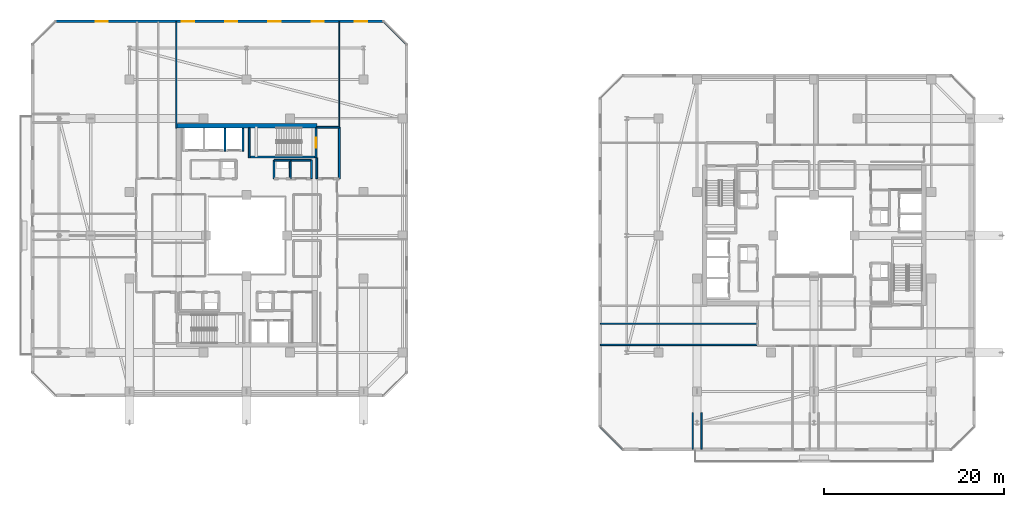
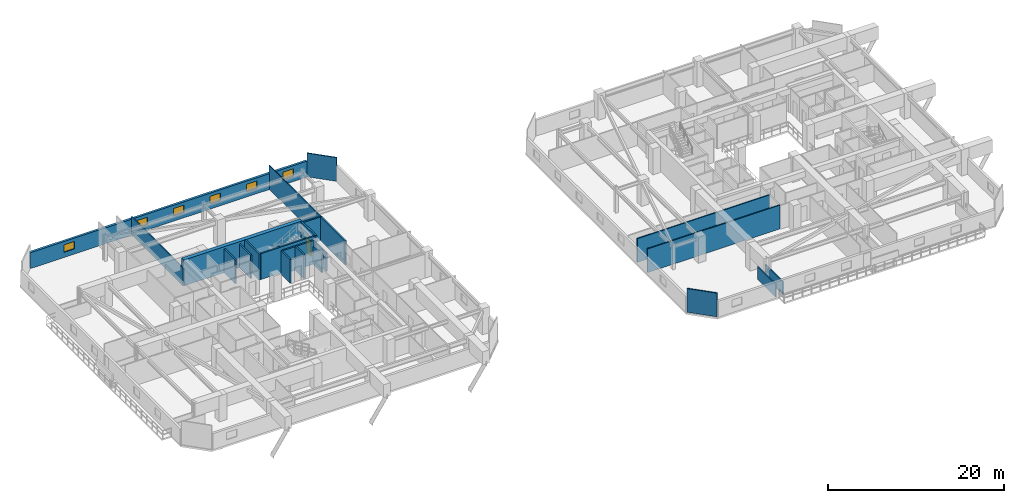
# One storey, part 24 of 35: 23 walls, 6 windows, 1 door, 7 openings.
"""IFC4 building model written with IfcOpenShell, lengths in metres."""

import ifcopenshell
import ifcopenshell.guid

model = None  # the IFC model being written
_history = None  # IfcOwnerHistory: only IFC2X3 demands one
_inside = {}  # id of a spatial element -> (the spatial element, [elements in it])
_under = {}  # id of a project, library or spatial element -> (it, [spatial elements below it])
_declared = {}  # id of a project -> (the project, [libraries it declares])
_typed = {}  # id of a type object -> (the type object, [elements of that type])
_made_of = {}  # id of a material, layer set ... -> (it, [elements and type objects made of it])


def new_model(schema):
    """Start an empty IFC model of exactly this schema.

    Asked for "IFC4X3", IfcOpenShell would pick the latest addendum, in which some entities
    have other attributes; the version numbers below select the first issue.
    IFC2X3 requires an IfcOwnerHistory on every rooted entity: one is made here for all.
    """
    global model, _history
    if schema == "IFC4X3":
        model = ifcopenshell.file(schema_version=(4, 3, 0, 0))
    else:
        model = ifcopenshell.file(schema=schema)
    _inside.clear()
    _under.clear()
    _declared.clear()
    _typed.clear()
    _made_of.clear()
    _history = None
    if model.schema == "IFC2X3":
        org = make("IfcOrganization", Name="unknown")
        user = make(
            "IfcPersonAndOrganization",
            ThePerson=make("IfcPerson", FamilyName="unknown"),
            TheOrganization=org,
        )
        app = make(
            "IfcApplication",
            ApplicationDeveloper=org,
            Version="unknown",
            ApplicationFullName="unknown",
            ApplicationIdentifier="unknown",
        )
        _history = make(
            "IfcOwnerHistory",
            OwningUser=user,
            OwningApplication=app,
            ChangeAction="ADDED",
            CreationDate=0,
        )
    return model


def make(cls, **values):
    """One entity of the class cls with the attributes given. An attribute that is None is left unset."""
    return model.create_entity(
        cls, **{name: value for name, value in values.items() if value is not None}
    )


def rooted(cls, **values):
    """An entity with a GlobalId (a new one), such as an element, a storey or a relation."""
    return make(cls, GlobalId=ifcopenshell.guid.new(), OwnerHistory=_history, **values)


def si_unit(unit_type, name, prefix=None):
    """IfcSIUnit, for example si_unit("LENGTHUNIT", "METRE", prefix="MILLI")."""
    return make("IfcSIUnit", UnitType=unit_type, Prefix=prefix, Name=name)


def assignment(units):
    """IfcUnitAssignment: the units of a project."""
    return None if units is None else make("IfcUnitAssignment", Units=units)


def point(xyz):
    """IfcCartesianPoint."""
    return None if xyz is None else make("IfcCartesianPoint", Coordinates=xyz)


def direction(xyz):
    """IfcDirection."""
    return None if xyz is None else make("IfcDirection", DirectionRatios=xyz)


def frame(location, z_axis=None, x_axis=None):
    """IfcAxis2Placement3D, a coordinate frame: its origin and axes. An axis left out is left unset."""
    return make(
        "IfcAxis2Placement3D",
        Location=point(location),
        Axis=direction(z_axis),
        RefDirection=direction(x_axis),
    )


def frame_2d(location, x_axis=None):
    """IfcAxis2Placement2D, a coordinate frame in the plane: its origin and x axis."""
    return make(
        "IfcAxis2Placement2D", Location=point(location), RefDirection=direction(x_axis)
    )


def origin():
    """The frame at (0, 0, 0) with its axes left unset."""
    return frame((0.0, 0.0, 0.0))


def place(relative_to, where):
    """IfcLocalPlacement: puts the frame where relative to a parent placement (None: the world)."""
    return make(
        "IfcLocalPlacement", PlacementRelTo=relative_to, RelativePlacement=where
    )


def context(
    kind, dimensions, precision=None, world=None, true_north=None, identifier=None
):
    """IfcGeometricRepresentationContext, for example the 3D "Model" context."""
    return make(
        "IfcGeometricRepresentationContext",
        ContextIdentifier=identifier,
        ContextType=kind,
        CoordinateSpaceDimension=dimensions,
        Precision=precision,
        WorldCoordinateSystem=world,
        TrueNorth=true_north,
    )


def subcontext(parent, identifier, kind, view, scale=None):
    """IfcGeometricRepresentationSubContext, for example "Body" below "Model"."""
    return make(
        "IfcGeometricRepresentationSubContext",
        ContextIdentifier=identifier,
        ContextType=kind,
        ParentContext=parent,
        TargetScale=scale,
        TargetView=view,
    )


def project(units=None, contexts=None):
    """IfcProject with its units and contexts."""
    return rooted(
        "IfcProject",
        Name="project",
        RepresentationContexts=contexts,
        UnitsInContext=assignment(units),
    )


def spatial(cls, under=None, at=None, **own):
    """A site, building, storey or space (cls), placed at a placement, below another one or the project."""
    s = rooted(cls, ObjectPlacement=at, **own)
    if under is not None:
        _under.setdefault(under.id(), (under, []))[1].append(s)
    return s


def profile(cls, at=None, kind="AREA", **sizes):
    """A parametric profile (cls). Its sizes go by their IFC names, for example OverallWidth=200.0."""
    return make(cls, ProfileType=kind, Position=at, **sizes)


def rectangle(**sizes):
    """IfcRectangleProfileDef."""
    return profile("IfcRectangleProfileDef", **sizes)


def extrude(swept, where, along, depth):
    """IfcExtrudedAreaSolid: the profile swept, set in the frame where, extruded along a direction by depth."""
    return make(
        "IfcExtrudedAreaSolid",
        SweptArea=swept,
        Position=where,
        ExtrudedDirection=direction(along),
        Depth=depth,
    )


def shape(context_of_items, identifier, shape_type, items):
    """IfcShapeRepresentation: the items that make up one representation, for example the "Body"."""
    return make(
        "IfcShapeRepresentation",
        ContextOfItems=context_of_items,
        RepresentationIdentifier=identifier,
        RepresentationType=shape_type,
        Items=items,
    )


def material(Name=None, Category=None):
    """IfcMaterial."""
    return make("IfcMaterial", Name=Name, Category=Category)


def layer(
    of_material, thickness, ventilated=None, Name=None, Category=None, Priority=None
):
    """IfcMaterialLayer: one layer of a wall or slab, of a material (None: an air gap)."""
    return make(
        "IfcMaterialLayer",
        Material=of_material,
        LayerThickness=thickness,
        IsVentilated=ventilated,
        Name=Name,
        Category=Category,
        Priority=Priority,
    )


def layer_set(layers, Name=None):
    """IfcMaterialLayerSet."""
    return make("IfcMaterialLayerSet", MaterialLayers=layers, LayerSetName=Name)


def made_of(thing, what):
    """Note that an element or type object is made of a material, layer set ...; save() writes the relation."""
    if what is not None:
        _made_of.setdefault(what.id(), (what, []))[1].append(thing)
    return thing


def type_object(cls, material=None, **own):
    """A type object (cls), such as IfcWallType, which elements share."""
    return made_of(rooted(cls, **own), material)


def element(
    cls,
    number,
    at=None,
    inside=None,
    cuts=None,
    type_object=None,
    material=None,
    context=None,
    identifier="Body",
    shape_type=None,
    held_by="IfcProductDefinitionShape",
    body=None,
    shapes=None,
    **own,
):
    """One element of the class cls, such as IfcWall. Its Tag is "e" and its number.

    at: its placement. inside: the storey or other place that contains it. cuts: it is an
    opening in that element (IfcRelVoidsElement). A single representation is given by context,
    identifier, shape_type and body (its items); several are given by shapes. held_by: the class
    of the entity that holds the representations. save() writes the other relations.
    """
    e = rooted(cls, Tag="e%d" % number, ObjectPlacement=at, **own)
    if body is not None:
        shapes = [shape(context, identifier, shape_type, body)]
    if shapes is not None:
        e.Representation = make(held_by, Representations=shapes)
    if inside is not None:
        _inside.setdefault(inside.id(), (inside, []))[1].append(e)
    if cuts is not None:
        rooted(
            "IfcRelVoidsElement", RelatingBuildingElement=cuts, RelatedOpeningElement=e
        )
    if type_object is not None:
        _typed.setdefault(type_object.id(), (type_object, []))[1].append(e)
    return made_of(e, material)


def fill(opening, filler):
    """IfcRelFillsElement: the door or window that sits in an opening."""
    return rooted(
        "IfcRelFillsElement",
        RelatingOpeningElement=opening,
        RelatedBuildingElement=filler,
    )


def aggregate(whole, parts):
    """IfcRelAggregates: a whole, such as a stair, and the parts it consists of."""
    return rooted("IfcRelAggregates", RelatingObject=whole, RelatedObjects=parts)


def save(model, path):
    """Write the relations noted so far, then the file.

    IfcRelAggregates (storeys below a building ...), IfcRelContainedInSpatialStructure (elements
    in a storey), IfcRelDefinesByType, IfcRelAssociatesMaterial and IfcRelDeclares: one each for
    every whole, place, type object, material and project.
    """
    for whole, parts in _under.values():
        aggregate(whole, parts)
    for where, things in _inside.values():
        rooted(
            "IfcRelContainedInSpatialStructure",
            RelatedElements=things,
            RelatingStructure=where,
        )
    for kind, things in _typed.values():
        rooted("IfcRelDefinesByType", RelatedObjects=things, RelatingType=kind)
    for what, things in _made_of.values():
        rooted("IfcRelAssociatesMaterial", RelatedObjects=things, RelatingMaterial=what)
    for by, libraries in _declared.values():
        rooted("IfcRelDeclares", RelatingContext=by, RelatedDefinitions=libraries)
    model.write(path)


model = new_model("IFC4")

# Units and contexts
model_context = context("Model", 3, precision=1e-05, world=origin(), true_north=direction((0.0, 1.0)))
body_context = subcontext(model_context, "Body", "Model", "MODEL_VIEW")
ifc_project = project(units=[si_unit("LENGTHUNIT", "METRE"), si_unit("AREAUNIT", "SQUARE_METRE"), si_unit("VOLUMEUNIT", "CUBIC_METRE"), si_unit("PLANEANGLEUNIT", "RADIAN"), si_unit("MASSUNIT", "GRAM", prefix="KILO")], contexts=[model_context])

# Site, building, storey
site_placement = place(None, origin())
site = spatial("IfcSite", under=ifc_project, at=site_placement, CompositionType="ELEMENT")
building_placement = place(site_placement, origin())
building = spatial("IfcBuilding", under=site, at=building_placement, Name="Thornwick Lancets Civic Towers", CompositionType="ELEMENT")
storey_placement = place(building_placement, frame((0.0, 0.0, 225.89990234375)))
storey = spatial("IfcBuildingStorey", under=building, at=storey_placement, Name="L60", CompositionType="ELEMENT", Elevation=225.89990234375)

# Walls
ifc_material_1 = material(Name="Concrete blockwork C40/50", Category="masonry")
ifc_layer_1 = layer(ifc_material_1, 0.199951171875, Name="Concrete blockwork C40/50")
ifc_layer_set_1 = layer_set([ifc_layer_1], Name="Concrete blockwork C40/50")
wall_type_1 = type_object("IfcWallType", Name="WALL_COMP_200", PredefinedType="STANDARD", material=ifc_layer_set_1)
for number, where, z_axis, x_axis, name in (
    (1, (25.10009765625, 36.35205078125, 0.0), (0.0, 0.0, 1.0), (0.0, 1.0, 0.0), "L60 Hoistway Shaft Wall FL-A2 E"),
    (2, (23.10009765625, 36.35205078125, 0.0), (0.0, 0.0, 1.0), (0.0, 1.0, 0.0), "L60 Hoistway Shaft Wall FL-A2 W"),
):
    element("IfcWall", number, at=place(storey_placement, frame(where, z_axis=z_axis, x_axis=x_axis)), inside=storey, type_object=wall_type_1, Name=name, PredefinedType="STANDARD", context=body_context, shape_type="SweptSolid", body=[
        extrude(rectangle(XDim=2.535888671875, YDim=0.199951171875, at=frame_2d((1.26806640625, 0.0))), origin(), (0.0, 0.0, 1.0), 3.300048828125),
    ])
wall_1_placement = place(storey_placement, frame((35.800048828125, 33.300048828125, 0.0), z_axis=(0.0, 0.0, 1.0), x_axis=(0.0, 1.0, 0.0)))
element("IfcWall", 3, at=wall_1_placement, inside=storey, type_object=wall_type_1, Name="L60 Partition L60-A-FFLOB2 E2", PredefinedType="STANDARD", context=body_context, shape_type="SweptSolid", body=[
    extrude(rectangle(XDim=5.699951171875, YDim=0.199951171875, at=frame_2d((2.85009765625, 0.0))), origin(), (0.0, 0.0, 1.0), 3.300048828125),
])
wall_2_placement = place(storey_placement, frame((35.800048828125, 39.0, 0.0), z_axis=(0.0, 0.0, 1.0), x_axis=(-1.0, 0.0, 0.0)))
element("IfcWall", 4, at=wall_2_placement, inside=storey, type_object=wall_type_1, Name="L60 Partition L60-A-FFLOB2 E3", PredefinedType="STANDARD", context=body_context, shape_type="SweptSolid", body=[
    extrude(rectangle(XDim=2.5, YDim=0.199951171875, at=frame_2d((1.25, 0.0))), origin(), (0.0, 0.0, 1.0), 3.300048828125),
])
wall_3_placement = place(storey_placement, frame((33.300048828125, 35.60009765625, 0.0), z_axis=(0.0, 0.0, 1.0), x_axis=(0.0, -1.0, 0.0)))
element("IfcWall", 5, at=wall_3_placement, inside=storey, type_object=wall_type_1, Name="L60 Partition L60-A-FFLOB2 E4", PredefinedType="STANDARD", context=body_context, shape_type="SweptSolid", body=[
    extrude(rectangle(XDim=2.300048828125, YDim=0.199951171875, at=frame_2d((1.14990234375, 0.0))), origin(), (0.0, 0.0, 1.0), 2.505126953125),
])
wall_4_placement = place(storey_placement, frame((30.35009765625, 33.300048828125, 0.0), z_axis=(0.0, 0.0, 1.0), x_axis=(0.0, 1.0, 0.0)))
element("IfcWall", 6, at=wall_4_placement, inside=storey, type_object=wall_type_1, Name="L60 Partition L60-A-RISER2 E2", PredefinedType="STANDARD", context=body_context, shape_type="SweptSolid", body=[
    extrude(rectangle(XDim=2.050048828125, YDim=0.199951171875, at=frame_2d((1.02490234375, 0.0))), origin(), (0.0, 0.0, 1.0), 3.300048828125),
])
wall_5_placement = place(storey_placement, frame((30.35009765625, 35.35009765625, 0.0), z_axis=(0.0, 0.0, 1.0), x_axis=(-1.0, 0.0, 0.0)))
element("IfcWall", 7, at=wall_5_placement, inside=storey, type_object=wall_type_1, Name="L60 Partition L60-A-RISER2 E3", PredefinedType="STANDARD", context=body_context, shape_type="SweptSolid", body=[
    extrude(rectangle(XDim=1.800048828125, YDim=0.199951171875, at=frame_2d((0.89990234375, 0.0))), origin(), (0.0, 0.0, 1.0), 3.300048828125),
])
wall_6_placement = place(storey_placement, frame((28.550048828125, 35.35009765625, 0.0), z_axis=(0.0, 0.0, 1.0), x_axis=(0.0, -1.0, 0.0)))
element("IfcWall", 8, at=wall_6_placement, inside=storey, type_object=wall_type_1, Name="L60 Partition L60-A-RISER2 E4", PredefinedType="STANDARD", context=body_context, shape_type="SweptSolid", body=[
    extrude(rectangle(XDim=2.050048828125, YDim=0.199951171875, at=frame_2d((1.02490234375, 0.0))), origin(), (0.0, 0.0, 1.0), 3.300048828125),
])
wall_7_placement = place(storey_placement, frame((32.699951171875, 35.35009765625, 0.0), z_axis=(0.0, 0.0, 1.0), x_axis=(0.0, -1.0, 0.0)))
element("IfcWall", 9, at=wall_7_placement, inside=storey, type_object=wall_type_1, Name="L60 Partition L60-A-STR E1", PredefinedType="STANDARD", context=body_context, shape_type="SweptSolid", body=[
    extrude(rectangle(XDim=2.050048828125, YDim=0.199951171875, at=frame_2d((1.02490234375, 0.0))), origin(), (0.0, 0.0, 1.0), 2.505126953125),
])
wall_8_placement = place(storey_placement, frame((30.35009765625, 35.35009765625, 0.0), z_axis=(0.0, 0.0, 1.0), x_axis=(1.0, 0.0, 0.0)))
element("IfcWall", 10, at=wall_8_placement, inside=storey, type_object=wall_type_1, Name="L60 Partition L60-A-STR E4", PredefinedType="STANDARD", context=body_context, shape_type="SweptSolid", body=[
    extrude(rectangle(XDim=2.349853515625, YDim=0.199951171875, at=frame_2d((1.1748046875, 0.0))), origin(), (0.0, 0.0, 1.0), 3.300048828125),
])
ifc_material_2 = material(Name="Concrete C50/60", Category="concrete")
ifc_layer_2 = layer(ifc_material_2, 0.5, Name="Concrete C50/60")
ifc_layer_set_2 = layer_set([ifc_layer_2], Name="Concrete C50/60")
wall_type_2 = type_object("IfcWallType", Name="WALL_CORE_500", PredefinedType="SHEAR", material=ifc_layer_set_2)
wall_9_placement = place(storey_placement, frame((17.699951171875, 39.14990234375, 0.0), z_axis=(0.0, 0.0, 1.0), x_axis=(1.0, 0.0, 0.0)))
element("IfcWall", 11, at=wall_9_placement, inside=storey, type_object=wall_type_2, Name="L60 Split Core A2 Shear Wall N", PredefinedType="SHEAR", context=body_context, shape_type="SweptSolid", body=[
    extrude(rectangle(XDim=15.60009765625, YDim=0.5, at=frame_2d((7.800048828125, 0.0))), origin(), (0.0, 0.0, 1.0), 3.60009765625),
])

# Wall, openings, windows
ifc_material_3 = material(Name="Insulated russet terracotta rainscreen on concrete C40/50", Category="masonry")
ifc_layer_3 = layer(ifc_material_3, 0.300048828125, Name="Insulated russet terracotta rainscreen on concrete C40/50")
ifc_layer_set_3 = layer_set([ifc_layer_3], Name="Insulated russet terracotta rainscreen on concrete C40/50")
wall_type_3 = type_object("IfcWallType", Name="WALL_EXT_RUSSET_300", PredefinedType="STANDARD", material=ifc_layer_set_3)
wall_10_placement = place(storey_placement, frame((40.681396484375, 50.7646484375, 0.0), z_axis=(0.0, 0.0, 1.0), x_axis=(-1.0, 0.0, 0.0)))
wall_10 = element("IfcWall", 12, at=wall_10_placement, inside=storey, type_object=wall_type_3, Name="L60 Tower A Terracotta Facade Wall E4", PredefinedType="STANDARD", context=body_context, shape_type="SweptSolid", body=[
    extrude(rectangle(XDim=36.36279296875, YDim=0.300048828125, at=frame_2d((18.181396484375, 0.0))), origin(), (0.0, 0.0, 1.0), 2.22021484375),
])
opening_1_placement = place(wall_10_placement, frame((1.800048828125, 0.0, 0.719970703125)))
opening_1 = element("IfcOpeningElement", 13, at=opening_1_placement, cuts=wall_10, Name="Opening WL-03", PredefinedType="OPENING", context=body_context, shape_type="SweptSolid", body=[
    extrude(rectangle(XDim=1.35009765625, YDim=1.050048828125, at=frame_2d((0.675048828125, 0.52490234375))), frame((0.0, 0.16015625, 0.0), z_axis=(0.0, -1.0, 0.0), x_axis=(1.0, 0.0, 0.0)), (0.0, 0.0, 1.0), 0.320068359375),
])
opening_2_placement = place(wall_10_placement, frame((6.60009765625, 0.0, 0.719970703125)))
opening_2 = element("IfcOpeningElement", 14, at=opening_2_placement, cuts=wall_10, Name="Opening WL-03", PredefinedType="OPENING", context=body_context, shape_type="SweptSolid", body=[
    extrude(rectangle(XDim=1.35009765625, YDim=1.050048828125, at=frame_2d((0.675048828125, 0.52490234375))), frame((0.0, 0.16015625, 0.0), z_axis=(0.0, -1.0, 0.0), x_axis=(1.0, 0.0, 0.0)), (0.0, 0.0, 1.0), 0.320068359375),
])
opening_3_placement = place(wall_10_placement, frame((11.39990234375, 0.0, 0.719970703125)))
opening_3 = element("IfcOpeningElement", 15, at=opening_3_placement, cuts=wall_10, Name="Opening WL-03", PredefinedType="OPENING", context=body_context, shape_type="SweptSolid", body=[
    extrude(rectangle(XDim=1.35009765625, YDim=1.050048828125, at=frame_2d((0.675048828125, 0.52490234375))), frame((0.0, 0.16015625, 0.0), z_axis=(0.0, -1.0, 0.0), x_axis=(1.0, 0.0, 0.0)), (0.0, 0.0, 1.0), 0.320068359375),
])
opening_4_placement = place(wall_10_placement, frame((16.199951171875, 0.0, 0.719970703125)))
opening_4 = element("IfcOpeningElement", 16, at=opening_4_placement, cuts=wall_10, Name="Opening WL-03", PredefinedType="OPENING", context=body_context, shape_type="SweptSolid", body=[
    extrude(rectangle(XDim=1.35009765625, YDim=1.050048828125, at=frame_2d((0.675048828125, 0.52490234375))), frame((0.0, 0.16015625, 0.0), z_axis=(0.0, -1.0, 0.0), x_axis=(1.0, 0.0, 0.0)), (0.0, 0.0, 1.0), 0.320068359375),
])
opening_5_placement = place(wall_10_placement, frame((21.0, 0.0, 0.719970703125)))
opening_5 = element("IfcOpeningElement", 17, at=opening_5_placement, cuts=wall_10, Name="Opening WL-03", PredefinedType="OPENING", context=body_context, shape_type="SweptSolid", body=[
    extrude(rectangle(XDim=1.35009765625, YDim=1.050048828125, at=frame_2d((0.675048828125, 0.52490234375))), frame((0.0, 0.16015625, 0.0), z_axis=(0.0, -1.0, 0.0), x_axis=(1.0, 0.0, 0.0)), (0.0, 0.0, 1.0), 0.320068359375),
])
opening_6_placement = place(wall_10_placement, frame((30.60009765625, 0.0, 0.719970703125)))
opening_6 = element("IfcOpeningElement", 18, at=opening_6_placement, cuts=wall_10, Name="Opening WL-03", PredefinedType="OPENING", context=body_context, shape_type="SweptSolid", body=[
    extrude(rectangle(XDim=1.35009765625, YDim=1.050048828125, at=frame_2d((0.675048828125, 0.52490234375))), frame((0.0, 0.16015625, 0.0), z_axis=(0.0, -1.0, 0.0), x_axis=(1.0, 0.0, 0.0)), (0.0, 0.0, 1.0), 0.320068359375),
])
ifc_material_4 = material(Name="Clear low-e double glazing clerestory lancet", Category="glass")
window_type = type_object("IfcWindowType", Name="WIN_LANCET_1350", PartitioningType="SINGLE_PANEL", PredefinedType="WINDOW", material=ifc_material_4)
window_1_placement = place(opening_1_placement, origin())
window_1 = element("IfcWindow", 19, at=window_1_placement, inside=storey, type_object=window_type, Name="L60 Tower A Staggered Lancet Window E4-1", OverallHeight=1.050048828125, OverallWidth=1.35009765625, PartitioningType="SINGLE_PANEL", PredefinedType="WINDOW", context=body_context, shape_type="SweptSolid", body=[
    extrude(rectangle(XDim=1.35009765625, YDim=1.050048828125, at=frame_2d((0.675048828125, 0.52490234375))), frame((0.0, 0.030029296875, 0.0), z_axis=(0.0, -1.0, 0.0), x_axis=(1.0, 0.0, 0.0)), (0.0, 0.0, 1.0), 0.06005859375),
])
fill(opening_1, window_1)
window_2_placement = place(opening_2_placement, origin())
window_2 = element("IfcWindow", 20, at=window_2_placement, inside=storey, type_object=window_type, Name="L60 Tower A Staggered Lancet Window E4-2", OverallHeight=1.050048828125, OverallWidth=1.35009765625, PartitioningType="SINGLE_PANEL", PredefinedType="WINDOW", context=body_context, shape_type="SweptSolid", body=[
    extrude(rectangle(XDim=1.35009765625, YDim=1.050048828125, at=frame_2d((0.675048828125, 0.52490234375))), frame((0.0, 0.030029296875, 0.0), z_axis=(0.0, -1.0, 0.0), x_axis=(1.0, 0.0, 0.0)), (0.0, 0.0, 1.0), 0.06005859375),
])
fill(opening_2, window_2)
window_3_placement = place(opening_3_placement, origin())
window_3 = element("IfcWindow", 21, at=window_3_placement, inside=storey, type_object=window_type, Name="L60 Tower A Staggered Lancet Window E4-3", OverallHeight=1.050048828125, OverallWidth=1.35009765625, PartitioningType="SINGLE_PANEL", PredefinedType="WINDOW", context=body_context, shape_type="SweptSolid", body=[
    extrude(rectangle(XDim=1.35009765625, YDim=1.050048828125, at=frame_2d((0.675048828125, 0.52490234375))), frame((0.0, 0.030029296875, 0.0), z_axis=(0.0, -1.0, 0.0), x_axis=(1.0, 0.0, 0.0)), (0.0, 0.0, 1.0), 0.06005859375),
])
fill(opening_3, window_3)
window_4_placement = place(opening_4_placement, origin())
window_4 = element("IfcWindow", 22, at=window_4_placement, inside=storey, type_object=window_type, Name="L60 Tower A Staggered Lancet Window E4-4", OverallHeight=1.050048828125, OverallWidth=1.35009765625, PartitioningType="SINGLE_PANEL", PredefinedType="WINDOW", context=body_context, shape_type="SweptSolid", body=[
    extrude(rectangle(XDim=1.35009765625, YDim=1.050048828125, at=frame_2d((0.675048828125, 0.52490234375))), frame((0.0, 0.030029296875, 0.0), z_axis=(0.0, -1.0, 0.0), x_axis=(1.0, 0.0, 0.0)), (0.0, 0.0, 1.0), 0.06005859375),
])
fill(opening_4, window_4)
window_5_placement = place(opening_5_placement, origin())
window_5 = element("IfcWindow", 23, at=window_5_placement, inside=storey, type_object=window_type, Name="L60 Tower A Staggered Lancet Window E4-5", OverallHeight=1.050048828125, OverallWidth=1.35009765625, PartitioningType="SINGLE_PANEL", PredefinedType="WINDOW", context=body_context, shape_type="SweptSolid", body=[
    extrude(rectangle(XDim=1.35009765625, YDim=1.050048828125, at=frame_2d((0.675048828125, 0.52490234375))), frame((0.0, 0.030029296875, 0.0), z_axis=(0.0, -1.0, 0.0), x_axis=(1.0, 0.0, 0.0)), (0.0, 0.0, 1.0), 0.06005859375),
])
fill(opening_5, window_5)
window_6_placement = place(opening_6_placement, origin())
window_6 = element("IfcWindow", 24, at=window_6_placement, inside=storey, type_object=window_type, Name="L60 Tower A Staggered Lancet Window E4-6", OverallHeight=1.050048828125, OverallWidth=1.35009765625, PartitioningType="SINGLE_PANEL", PredefinedType="WINDOW", context=body_context, shape_type="SweptSolid", body=[
    extrude(rectangle(XDim=1.35009765625, YDim=1.050048828125, at=frame_2d((0.675048828125, 0.52490234375))), frame((0.0, 0.030029296875, 0.0), z_axis=(0.0, -1.0, 0.0), x_axis=(1.0, 0.0, 0.0)), (0.0, 0.0, 1.0), 0.06005859375),
])
fill(opening_6, window_6)

# Walls
ifc_material_5 = material(Name="Acoustic gypsum board partition")
ifc_layer_4 = layer(ifc_material_5, 0.1201171875, Name="Acoustic gypsum board partition")
ifc_layer_set_4 = layer_set([ifc_layer_4], Name="Acoustic gypsum board partition")
wall_type_4 = type_object("IfcWallType", Name="WALL_PART_120", PredefinedType="PARTITIONING", material=ifc_layer_set_4)
wall_11_placement = place(storey_placement, frame((35.800048828125, 39.0, 0.0), z_axis=(0.0, 0.0, 1.0), x_axis=(0.0, 1.0, 0.0)))
element("IfcWall", 25, at=wall_11_placement, inside=storey, type_object=wall_type_4, Name="L60 Partition L60-A-E4 E3", PredefinedType="PARTITIONING", context=body_context, shape_type="SweptSolid", body=[
    extrude(rectangle(XDim=11.719970703125, YDim=0.1201171875, at=frame_2d((5.85986328125, 0.0))), origin(), (0.0, 0.0, 1.0), 3.300048828125),
])
wall_12_placement = place(storey_placement, frame((40.725341796875, 50.719970703125, 0.0), z_axis=(0.0, 0.0, 1.0), x_axis=(0.707106781187, -0.707106781187, 0.0)))
element("IfcWall", 26, at=wall_12_placement, inside=storey, type_object=wall_type_4, Name="L60 Partition L60-A-E4 E5", PredefinedType="PARTITIONING", context=body_context, shape_type="SweptSolid", body=[
    extrude(rectangle(XDim=3.52783203125, YDim=0.1201171875, at=frame_2d((1.763916015625, 0.0))), origin(), (0.0, 0.0, 1.0), 3.300048828125),
])
ifc_material_6 = material(Name="Twin-stud acoustic gypsum board")
ifc_layer_5 = layer(ifc_material_6, 0.14990234375, Name="Twin-stud acoustic gypsum board")
ifc_layer_set_5 = layer_set([ifc_layer_5], Name="Twin-stud acoustic gypsum board")
wall_type_5 = type_object("IfcWallType", Name="WALL_PART_150", PredefinedType="PARTITIONING", material=ifc_layer_set_5)
wall_13_placement = place(storey_placement, frame((17.699951171875, 50.719970703125, 0.0), z_axis=(0.0, 0.0, 1.0), x_axis=(0.0, -1.0, 0.0)))
element("IfcWall", 27, at=wall_13_placement, inside=storey, type_object=wall_type_5, Name="L60 Partition L60-A-RECLAIM-M2 E3", PredefinedType="PARTITIONING", context=body_context, shape_type="SweptSolid", body=[
    extrude(rectangle(XDim=11.820068359375, YDim=0.14990234375, at=frame_2d((5.91015625, 0.0))), origin(), (0.0, 0.0, 1.0), 2.505126953125),
])
for number, where, z_axis, x_axis, name in (
    (28, (82.199951171875, 14.85009765625, 0.0), (0.0, 0.0, 1.0), (-1.0, 0.0, 0.0), "L60 Partition L60-B-RECLAIM-M1 E1"),
    (29, (64.780029296875, 17.199951171875, 0.0), (0.0, 0.0, 1.0), (1.0, 0.0, 0.0), "L60 Partition L60-B-RECLAIM-M1 E3"),
):
    element("IfcWall", number, at=place(storey_placement, frame(where, z_axis=z_axis, x_axis=x_axis)), inside=storey, type_object=wall_type_5, Name=name, PredefinedType="PARTITIONING", context=body_context, shape_type="SweptSolid", body=[
        extrude(rectangle(XDim=17.419921875, YDim=0.14990234375, at=frame_2d((8.7099609375, 0.0))), origin(), (0.0, 0.0, 1.0), 3.300048828125),
    ])
for number, where, z_axis, x_axis, name in (
    (30, (75.97998046875, 3.280029296875, 0.0), (0.0, 0.0, 1.0), (0.0, 1.0, 0.0), "L60 Partition L60-B-W2C E2"),
    (31, (75.02001953125, 7.32861328125, 0.0), (0.0, 0.0, 1.0), (0.0, -1.0, 0.0), "L60 Partition L60-B-W2C E4"),
):
    element("IfcWall", number, at=place(storey_placement, frame(where, z_axis=z_axis, x_axis=x_axis)), inside=storey, type_object=wall_type_5, Name=name, PredefinedType="PARTITIONING", context=body_context, shape_type="SweptSolid", body=[
        extrude(rectangle(XDim=4.048583984375, YDim=0.14990234375, at=frame_2d((2.0244140625, 0.0))), origin(), (0.0, 0.0, 1.0), 1.78515625),
    ])
wall_14_placement = place(storey_placement, frame((67.274658203125, 3.280029296875, 0.0), z_axis=(0.0, 0.0, 1.0), x_axis=(-0.707106781187, 0.707106781187, 0.0)))
element("IfcWall", 32, at=wall_14_placement, inside=storey, type_object=wall_type_5, Name="L60 Partition L60-B-W2C E6", PredefinedType="PARTITIONING", context=body_context, shape_type="SweptSolid", body=[
    extrude(rectangle(XDim=3.52783203125, YDim=0.14990234375, at=frame_2d((1.763916015625, 0.0))), origin(), (0.0, 0.0, 1.0), 3.300048828125),
])

# Wall, opening, door
ifc_material_7 = material(Name="Concrete C40/50", Category="concrete")
ifc_layer_6 = layer(ifc_material_7, 0.199951171875, Name="Concrete C40/50")
ifc_layer_set_6 = layer_set([ifc_layer_6], Name="Concrete C40/50")
wall_type_6 = type_object("IfcWallType", Name="WALL_SHAFT_200", PredefinedType="SHEAR", material=ifc_layer_set_6)
wall_15_placement = place(storey_placement, frame((33.199951171875, 38.949951171875, 0.0), z_axis=(0.0, 0.0, 1.0), x_axis=(0.0, -1.0, 0.0)))
wall_15 = element("IfcWall", 33, at=wall_15_placement, inside=storey, type_object=wall_type_6, Name="L60 ST-A2 Fire Stair Core Wall NEAR", PredefinedType="SHEAR", context=body_context, shape_type="SweptSolid", body=[
    extrude(rectangle(XDim=3.349853515625, YDim=0.199951171875, at=frame_2d((1.6748046875, 0.0))), origin(), (0.0, 0.0, 1.0), 3.60009765625),
])
opening_7_placement = place(wall_15_placement, frame((1.125, 0.0, 0.0)))
opening_7 = element("IfcOpeningElement", 34, at=opening_7_placement, cuts=wall_15, Name="Opening D-ST-A2-L60", PredefinedType="OPENING", context=body_context, shape_type="SweptSolid", body=[
    extrude(rectangle(XDim=1.10009765625, YDim=2.10009765625, at=frame_2d((0.550048828125, 1.050048828125))), frame((0.0, 0.10986328125, 0.0), z_axis=(0.0, -1.0, 0.0), x_axis=(1.0, 0.0, 0.0)), (0.0, 0.0, 1.0), 0.219970703125),
])
ifc_material_8 = material(Name="Fire-resisting steel and hardwood", Category="steel")
door_type = type_object("IfcDoorType", Name="DOOR_STAIR_FD60", OperationType="NOTDEFINED", PredefinedType="DOOR", material=ifc_material_8)
door_placement = place(opening_7_placement, origin())
door = element("IfcDoor", 35, at=door_placement, inside=storey, type_object=door_type, Name="L60 ST-A2 Exit Stair Door", OperationType="SINGLE_SWING_LEFT", OverallHeight=2.10009765625, OverallWidth=1.10009765625, PredefinedType="DOOR", context=body_context, shape_type="SweptSolid", body=[
    extrude(rectangle(XDim=1.10009765625, YDim=2.10009765625, at=frame_2d((0.550048828125, 1.050048828125))), frame((0.0, 0.02490234375, 0.0), z_axis=(0.0, -1.0, 0.0), x_axis=(1.0, 0.0, 0.0)), (0.0, 0.0, 1.0), 0.050048828125),
])
fill(opening_7, door)

# Walls
wall_16_placement = place(storey_placement, frame((25.800048828125, 35.60009765625, 0.0), z_axis=(0.0, 0.0, 1.0), x_axis=(0.0, 1.0, 0.0)))
element("IfcWall", 36, at=wall_16_placement, inside=storey, type_object=wall_type_6, Name="L60 ST-A2 Fire Stair Core Wall FAR", PredefinedType="SHEAR", context=body_context, shape_type="SweptSolid", body=[
    extrude(rectangle(XDim=3.349853515625, YDim=0.199951171875, at=frame_2d((1.6748046875, 0.0))), origin(), (0.0, 0.0, 1.0), 3.60009765625),
])
wall_17_placement = place(storey_placement, frame((25.949951171875, 35.702880859375, 0.0), z_axis=(0.0, 0.0, 1.0), x_axis=(1.0, 0.0, 0.0)))
element("IfcWall", 37, at=wall_17_placement, inside=storey, type_object=wall_type_6, Name="L60 ST-A2 Fire Stair Core Wall RIGHT", PredefinedType="SHEAR", context=body_context, shape_type="SweptSolid", body=[
    extrude(rectangle(XDim=7.10009765625, YDim=0.199951171875, at=frame_2d((3.550048828125, 0.0))), origin(), (0.0, 0.0, 1.0), 3.60009765625),
])

save(model, "model.ifc")
